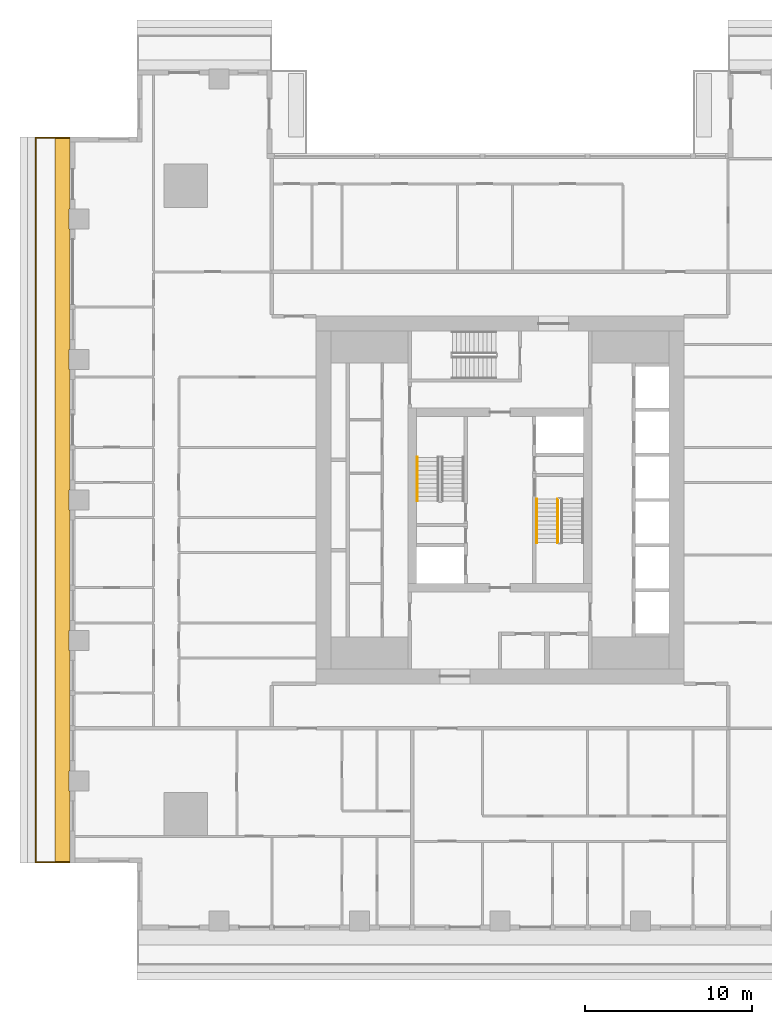
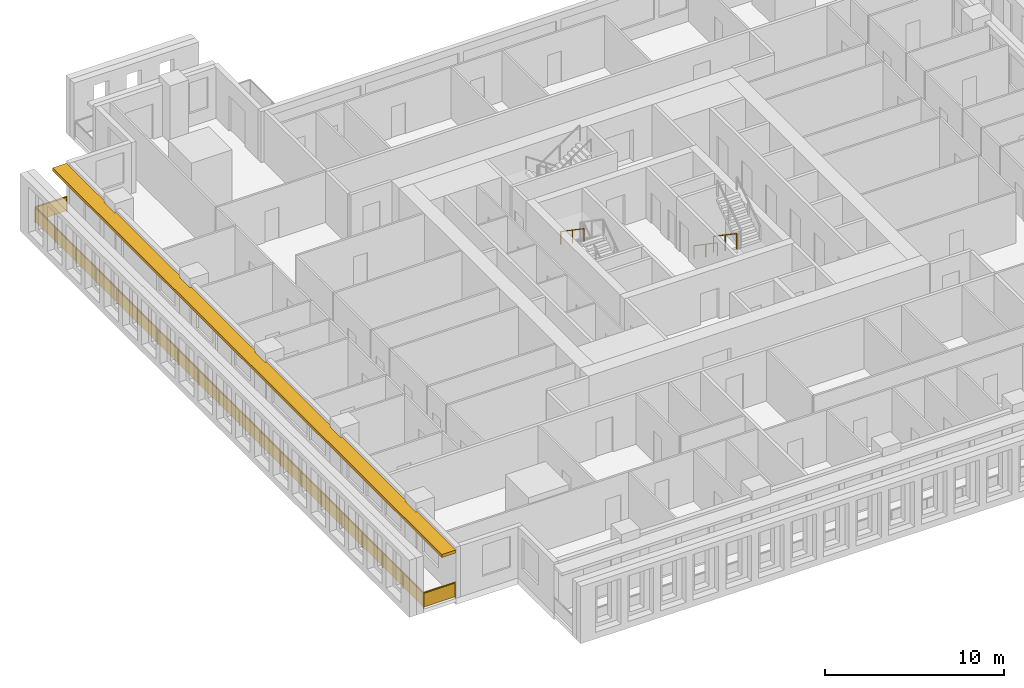
# One storey, part 12 of 16: 4 railings, 1 shading device.
"""IFC4 building model written with IfcOpenShell, lengths in metres."""

import ifcopenshell
import ifcopenshell.guid

model = None  # the IFC model being written
_history = None  # IfcOwnerHistory: only IFC2X3 demands one
_inside = {}  # id of a spatial element -> (the spatial element, [elements in it])
_under = {}  # id of a project, library or spatial element -> (it, [spatial elements below it])
_declared = {}  # id of a project -> (the project, [libraries it declares])
_typed = {}  # id of a type object -> (the type object, [elements of that type])
_made_of = {}  # id of a material, layer set ... -> (it, [elements and type objects made of it])


def new_model(schema):
    """Start an empty IFC model of exactly this schema.

    Asked for "IFC4X3", IfcOpenShell would pick the latest addendum, in which some entities
    have other attributes; the version numbers below select the first issue.
    IFC2X3 requires an IfcOwnerHistory on every rooted entity: one is made here for all.
    """
    global model, _history
    if schema == "IFC4X3":
        model = ifcopenshell.file(schema_version=(4, 3, 0, 0))
    else:
        model = ifcopenshell.file(schema=schema)
    _inside.clear()
    _under.clear()
    _declared.clear()
    _typed.clear()
    _made_of.clear()
    _history = None
    if model.schema == "IFC2X3":
        org = make("IfcOrganization", Name="unknown")
        user = make(
            "IfcPersonAndOrganization",
            ThePerson=make("IfcPerson", FamilyName="unknown"),
            TheOrganization=org,
        )
        app = make(
            "IfcApplication",
            ApplicationDeveloper=org,
            Version="unknown",
            ApplicationFullName="unknown",
            ApplicationIdentifier="unknown",
        )
        _history = make(
            "IfcOwnerHistory",
            OwningUser=user,
            OwningApplication=app,
            ChangeAction="ADDED",
            CreationDate=0,
        )
    return model


def make(cls, **values):
    """One entity of the class cls with the attributes given. An attribute that is None is left unset."""
    return model.create_entity(
        cls, **{name: value for name, value in values.items() if value is not None}
    )


def rooted(cls, **values):
    """An entity with a GlobalId (a new one), such as an element, a storey or a relation."""
    return make(cls, GlobalId=ifcopenshell.guid.new(), OwnerHistory=_history, **values)


def si_unit(unit_type, name, prefix=None):
    """IfcSIUnit, for example si_unit("LENGTHUNIT", "METRE", prefix="MILLI")."""
    return make("IfcSIUnit", UnitType=unit_type, Prefix=prefix, Name=name)


def assignment(units):
    """IfcUnitAssignment: the units of a project."""
    return None if units is None else make("IfcUnitAssignment", Units=units)


def point(xyz):
    """IfcCartesianPoint."""
    return None if xyz is None else make("IfcCartesianPoint", Coordinates=xyz)


def direction(xyz):
    """IfcDirection."""
    return None if xyz is None else make("IfcDirection", DirectionRatios=xyz)


def frame(location, z_axis=None, x_axis=None):
    """IfcAxis2Placement3D, a coordinate frame: its origin and axes. An axis left out is left unset."""
    return make(
        "IfcAxis2Placement3D",
        Location=point(location),
        Axis=direction(z_axis),
        RefDirection=direction(x_axis),
    )


def frame_2d(location, x_axis=None):
    """IfcAxis2Placement2D, a coordinate frame in the plane: its origin and x axis."""
    return make(
        "IfcAxis2Placement2D", Location=point(location), RefDirection=direction(x_axis)
    )


def origin():
    """The frame at (0, 0, 0) with its axes left unset."""
    return frame((0.0, 0.0, 0.0))


def origin_2d():
    """The frame at (0, 0) in the plane with its x axis left unset."""
    return frame_2d((0.0, 0.0))


def place(relative_to, where):
    """IfcLocalPlacement: puts the frame where relative to a parent placement (None: the world)."""
    return make(
        "IfcLocalPlacement", PlacementRelTo=relative_to, RelativePlacement=where
    )


def context(
    kind, dimensions, precision=None, world=None, true_north=None, identifier=None
):
    """IfcGeometricRepresentationContext, for example the 3D "Model" context."""
    return make(
        "IfcGeometricRepresentationContext",
        ContextIdentifier=identifier,
        ContextType=kind,
        CoordinateSpaceDimension=dimensions,
        Precision=precision,
        WorldCoordinateSystem=world,
        TrueNorth=true_north,
    )


def subcontext(parent, identifier, kind, view, scale=None):
    """IfcGeometricRepresentationSubContext, for example "Body" below "Model"."""
    return make(
        "IfcGeometricRepresentationSubContext",
        ContextIdentifier=identifier,
        ContextType=kind,
        ParentContext=parent,
        TargetScale=scale,
        TargetView=view,
    )


def project(units=None, contexts=None):
    """IfcProject with its units and contexts."""
    return rooted(
        "IfcProject",
        Name="project",
        RepresentationContexts=contexts,
        UnitsInContext=assignment(units),
    )


def spatial(cls, under=None, at=None, **own):
    """A site, building, storey or space (cls), placed at a placement, below another one or the project."""
    s = rooted(cls, ObjectPlacement=at, **own)
    if under is not None:
        _under.setdefault(under.id(), (under, []))[1].append(s)
    return s


def polyline(points):
    """IfcPolyline through the points."""
    return make("IfcPolyline", Points=[point(p) for p in points])


def profile(cls, at=None, kind="AREA", **sizes):
    """A parametric profile (cls). Its sizes go by their IFC names, for example OverallWidth=200.0."""
    return make(cls, ProfileType=kind, Position=at, **sizes)


def rectangle(**sizes):
    """IfcRectangleProfileDef."""
    return profile("IfcRectangleProfileDef", **sizes)


def outline(outer, holes=None, kind="AREA"):
    """IfcArbitraryClosedProfileDef: a profile drawn as a closed curve; with holes, ...WithVoids."""
    if holes is None:
        return make("IfcArbitraryClosedProfileDef", ProfileType=kind, OuterCurve=outer)
    return make(
        "IfcArbitraryProfileDefWithVoids",
        ProfileType=kind,
        OuterCurve=outer,
        InnerCurves=holes,
    )


def extrude(swept, where, along, depth):
    """IfcExtrudedAreaSolid: the profile swept, set in the frame where, extruded along a direction by depth."""
    return make(
        "IfcExtrudedAreaSolid",
        SweptArea=swept,
        Position=where,
        ExtrudedDirection=direction(along),
        Depth=depth,
    )


def shape(context_of_items, identifier, shape_type, items):
    """IfcShapeRepresentation: the items that make up one representation, for example the "Body"."""
    return make(
        "IfcShapeRepresentation",
        ContextOfItems=context_of_items,
        RepresentationIdentifier=identifier,
        RepresentationType=shape_type,
        Items=items,
    )


def material(Name=None, Category=None):
    """IfcMaterial."""
    return make("IfcMaterial", Name=Name, Category=Category)


def layer(
    of_material, thickness, ventilated=None, Name=None, Category=None, Priority=None
):
    """IfcMaterialLayer: one layer of a wall or slab, of a material (None: an air gap)."""
    return make(
        "IfcMaterialLayer",
        Material=of_material,
        LayerThickness=thickness,
        IsVentilated=ventilated,
        Name=Name,
        Category=Category,
        Priority=Priority,
    )


def layer_set(layers, Name=None):
    """IfcMaterialLayerSet."""
    return make("IfcMaterialLayerSet", MaterialLayers=layers, LayerSetName=Name)


def made_of(thing, what):
    """Note that an element or type object is made of a material, layer set ...; save() writes the relation."""
    if what is not None:
        _made_of.setdefault(what.id(), (what, []))[1].append(thing)
    return thing


def type_object(cls, material=None, **own):
    """A type object (cls), such as IfcWallType, which elements share."""
    return made_of(rooted(cls, **own), material)


def element(
    cls,
    number,
    at=None,
    inside=None,
    cuts=None,
    type_object=None,
    material=None,
    context=None,
    identifier="Body",
    shape_type=None,
    held_by="IfcProductDefinitionShape",
    body=None,
    shapes=None,
    **own,
):
    """One element of the class cls, such as IfcWall. Its Tag is "e" and its number.

    at: its placement. inside: the storey or other place that contains it. cuts: it is an
    opening in that element (IfcRelVoidsElement). A single representation is given by context,
    identifier, shape_type and body (its items); several are given by shapes. held_by: the class
    of the entity that holds the representations. save() writes the other relations.
    """
    e = rooted(cls, Tag="e%d" % number, ObjectPlacement=at, **own)
    if body is not None:
        shapes = [shape(context, identifier, shape_type, body)]
    if shapes is not None:
        e.Representation = make(held_by, Representations=shapes)
    if inside is not None:
        _inside.setdefault(inside.id(), (inside, []))[1].append(e)
    if cuts is not None:
        rooted(
            "IfcRelVoidsElement", RelatingBuildingElement=cuts, RelatedOpeningElement=e
        )
    if type_object is not None:
        _typed.setdefault(type_object.id(), (type_object, []))[1].append(e)
    return made_of(e, material)


def aggregate(whole, parts):
    """IfcRelAggregates: a whole, such as a stair, and the parts it consists of."""
    return rooted("IfcRelAggregates", RelatingObject=whole, RelatedObjects=parts)


def save(model, path):
    """Write the relations noted so far, then the file.

    IfcRelAggregates (storeys below a building ...), IfcRelContainedInSpatialStructure (elements
    in a storey), IfcRelDefinesByType, IfcRelAssociatesMaterial and IfcRelDeclares: one each for
    every whole, place, type object, material and project.
    """
    for whole, parts in _under.values():
        aggregate(whole, parts)
    for where, things in _inside.values():
        rooted(
            "IfcRelContainedInSpatialStructure",
            RelatedElements=things,
            RelatingStructure=where,
        )
    for kind, things in _typed.values():
        rooted("IfcRelDefinesByType", RelatedObjects=things, RelatingType=kind)
    for what, things in _made_of.values():
        rooted("IfcRelAssociatesMaterial", RelatedObjects=things, RelatingMaterial=what)
    for by, libraries in _declared.values():
        rooted("IfcRelDeclares", RelatingContext=by, RelatedDefinitions=libraries)
    model.write(path)


model = new_model("IFC4")

# Units and contexts
model_context = context("Model", 3, precision=1e-05, world=origin(), true_north=direction((0.0, 1.0)))
body_context = subcontext(model_context, "Body", "Model", "MODEL_VIEW")
ifc_project = project(units=[si_unit("LENGTHUNIT", "METRE"), si_unit("AREAUNIT", "SQUARE_METRE"), si_unit("VOLUMEUNIT", "CUBIC_METRE"), si_unit("PLANEANGLEUNIT", "RADIAN"), si_unit("MASSUNIT", "GRAM", prefix="KILO")], contexts=[model_context])

# Site, building, storey
site_placement = place(None, origin())
site = spatial("IfcSite", under=ifc_project, at=site_placement, CompositionType="ELEMENT")
building_placement = place(site_placement, origin())
building = spatial("IfcBuilding", under=site, at=building_placement, Name="Khepri Terraces", CompositionType="ELEMENT")
storey_placement = place(building_placement, frame((0.0, 0.0, 172.800048828125)))
storey = spatial("IfcBuildingStorey", under=building, at=storey_placement, Name="L41", CompositionType="ELEMENT", Elevation=172.800048828125)

# Railings
ifc_material_1 = material(Name="Stainless steel grade 316", Category="steel")
railing_type_1 = type_object("IfcRailingType", Name="GRD-BAL-1100", PredefinedType="GUARDRAIL", material=ifc_material_1)
railing_1_placement = place(storey_placement, frame((-25.719970703125, 21.669921875, 0.0)))
element("IfcRailing", 1, at=railing_1_placement, inside=storey, type_object=railing_type_1, Name="Balcony guard L41 W", PredefinedType="GUARDRAIL", context=body_context, shape_type="SweptSolid", body=[
    extrude(rectangle(XDim=0.050048828125, YDim=0.06005859375, at=origin_2d()), frame((0.0, 0.0, 1.070068359375), z_axis=(-1.0, 0.0, 0.0), x_axis=(0.0, -1.0, 0.0)), (0.0, 0.0, 1.0), 2.050048828125),
    extrude(rectangle(XDim=2.0, YDim=0.011962890625, at=origin_2d()), frame((-1.02490234375, 0.0, 0.10009765625), z_axis=(0.0, 0.0, 1.0), x_axis=(-1.0, 0.0, 0.0)), (0.0, 0.0, 1.0), 0.93994140625),
    extrude(rectangle(XDim=0.050048828125, YDim=0.06005859375, at=origin_2d()), frame((-2.050048828125, 0.0, 1.070068359375), z_axis=(0.0, -1.0, 0.0), x_axis=(1.0, 0.0, 0.0)), (0.0, 0.0, 1.0), 43.33984375),
    extrude(rectangle(XDim=2.23095703125, YDim=0.011962890625, at=origin_2d()), frame((-2.050048828125, -1.140625, 0.10009765625), z_axis=(0.0, 0.0, 1.0), x_axis=(0.0, -1.0, 0.0)), (0.0, 0.0, 1.0), 0.93994140625),
    extrude(rectangle(XDim=2.23095703125, YDim=0.011962890625, at=origin_2d()), frame((-2.050048828125, -3.421630859375, 0.10009765625), z_axis=(0.0, 0.0, 1.0), x_axis=(0.0, -1.0, 0.0)), (0.0, 0.0, 1.0), 0.93994140625),
    extrude(rectangle(XDim=2.23095703125, YDim=0.011962890625, at=origin_2d()), frame((-2.050048828125, -5.70263671875, 0.10009765625), z_axis=(0.0, 0.0, 1.0), x_axis=(0.0, -1.0, 0.0)), (0.0, 0.0, 1.0), 0.93994140625),
    extrude(rectangle(XDim=2.23095703125, YDim=0.011962890625, at=origin_2d()), frame((-2.050048828125, -7.983642578125, 0.10009765625), z_axis=(0.0, 0.0, 1.0), x_axis=(0.0, -1.0, 0.0)), (0.0, 0.0, 1.0), 0.93994140625),
    extrude(rectangle(XDim=2.23095703125, YDim=0.011962890625, at=origin_2d()), frame((-2.050048828125, -10.2646484375, 0.10009765625), z_axis=(0.0, 0.0, 1.0), x_axis=(0.0, -1.0, 0.0)), (0.0, 0.0, 1.0), 0.93994140625),
    extrude(rectangle(XDim=2.23095703125, YDim=0.011962890625, at=origin_2d()), frame((-2.050048828125, -12.545654296875, 0.10009765625), z_axis=(0.0, 0.0, 1.0), x_axis=(0.0, -1.0, 0.0)), (0.0, 0.0, 1.0), 0.93994140625),
    extrude(rectangle(XDim=2.23095703125, YDim=0.011962890625, at=origin_2d()), frame((-2.050048828125, -14.826904296875, 0.10009765625), z_axis=(0.0, 0.0, 1.0), x_axis=(0.0, -1.0, 0.0)), (0.0, 0.0, 1.0), 0.93994140625),
    extrude(rectangle(XDim=2.23095703125, YDim=0.011962890625, at=origin_2d()), frame((-2.050048828125, -17.10791015625, 0.10009765625), z_axis=(0.0, 0.0, 1.0), x_axis=(0.0, -1.0, 0.0)), (0.0, 0.0, 1.0), 0.93994140625),
    extrude(rectangle(XDim=2.23095703125, YDim=0.011962890625, at=origin_2d()), frame((-2.050048828125, -19.388916015625, 0.10009765625), z_axis=(0.0, 0.0, 1.0), x_axis=(0.0, -1.0, 0.0)), (0.0, 0.0, 1.0), 0.93994140625),
    extrude(rectangle(XDim=2.23095703125, YDim=0.011962890625, at=origin_2d()), frame((-2.050048828125, -21.669921875, 0.10009765625), z_axis=(0.0, 0.0, 1.0), x_axis=(0.0, -1.0, 0.0)), (0.0, 0.0, 1.0), 0.93994140625),
    extrude(rectangle(XDim=2.23095703125, YDim=0.011962890625, at=origin_2d()), frame((-2.050048828125, -23.950927734375, 0.10009765625), z_axis=(0.0, 0.0, 1.0), x_axis=(0.0, -1.0, 0.0)), (0.0, 0.0, 1.0), 0.93994140625),
    extrude(rectangle(XDim=2.23095703125, YDim=0.011962890625, at=origin_2d()), frame((-2.050048828125, -26.23193359375, 0.10009765625), z_axis=(0.0, 0.0, 1.0), x_axis=(0.0, -1.0, 0.0)), (0.0, 0.0, 1.0), 0.93994140625),
    extrude(rectangle(XDim=2.23095703125, YDim=0.011962890625, at=origin_2d()), frame((-2.050048828125, -28.512939453125, 0.10009765625), z_axis=(0.0, 0.0, 1.0), x_axis=(0.0, -1.0, 0.0)), (0.0, 0.0, 1.0), 0.93994140625),
    extrude(rectangle(XDim=2.23095703125, YDim=0.011962890625, at=origin_2d()), frame((-2.050048828125, -30.794189453125, 0.10009765625), z_axis=(0.0, 0.0, 1.0), x_axis=(0.0, -1.0, 0.0)), (0.0, 0.0, 1.0), 0.93994140625),
    extrude(rectangle(XDim=2.23095703125, YDim=0.011962890625, at=origin_2d()), frame((-2.050048828125, -33.0751953125, 0.10009765625), z_axis=(0.0, 0.0, 1.0), x_axis=(0.0, -1.0, 0.0)), (0.0, 0.0, 1.0), 0.93994140625),
    extrude(rectangle(XDim=2.23095703125, YDim=0.011962890625, at=origin_2d()), frame((-2.050048828125, -35.356201171875, 0.10009765625), z_axis=(0.0, 0.0, 1.0), x_axis=(0.0, -1.0, 0.0)), (0.0, 0.0, 1.0), 0.93994140625),
    extrude(rectangle(XDim=2.23095703125, YDim=0.011962890625, at=origin_2d()), frame((-2.050048828125, -37.63720703125, 0.10009765625), z_axis=(0.0, 0.0, 1.0), x_axis=(0.0, -1.0, 0.0)), (0.0, 0.0, 1.0), 0.93994140625),
    extrude(rectangle(XDim=2.23095703125, YDim=0.011962890625, at=origin_2d()), frame((-2.050048828125, -39.918212890625, 0.10009765625), z_axis=(0.0, 0.0, 1.0), x_axis=(0.0, -1.0, 0.0)), (0.0, 0.0, 1.0), 0.93994140625),
    extrude(rectangle(XDim=2.23095703125, YDim=0.011962890625, at=origin_2d()), frame((-2.050048828125, -42.19921875, 0.10009765625), z_axis=(0.0, 0.0, 1.0), x_axis=(0.0, -1.0, 0.0)), (0.0, 0.0, 1.0), 0.93994140625),
    extrude(rectangle(XDim=0.050048828125, YDim=0.06005859375, at=origin_2d()), frame((-2.050048828125, -43.33984375, 1.070068359375), z_axis=(1.0, 0.0, 0.0), x_axis=(0.0, 1.0, 0.0)), (0.0, 0.0, 1.0), 2.050048828125),
    extrude(rectangle(XDim=2.0, YDim=0.011962890625, at=origin_2d()), frame((-1.02490234375, -43.33984375, 0.10009765625), z_axis=(0.0, 0.0, 1.0), x_axis=(1.0, 0.0, 0.0)), (0.0, 0.0, 1.0), 0.93994140625),
    extrude(rectangle(XDim=0.050048828125, YDim=0.050048828125, at=origin_2d()), origin(), (0.0, 0.0, 1.0), 1.0400390625),
    extrude(rectangle(XDim=0.050048828125, YDim=0.050048828125, at=origin_2d()), frame((-2.050048828125, 0.0, 0.0)), (0.0, 0.0, 1.0), 1.0400390625),
    extrude(rectangle(XDim=0.050048828125, YDim=0.050048828125, at=origin_2d()), frame((-2.050048828125, -2.281005859375, 0.0)), (0.0, 0.0, 1.0), 1.0400390625),
    extrude(rectangle(XDim=0.050048828125, YDim=0.050048828125, at=origin_2d()), frame((-2.050048828125, -4.56201171875, 0.0)), (0.0, 0.0, 1.0), 1.0400390625),
    extrude(rectangle(XDim=0.050048828125, YDim=0.050048828125, at=origin_2d()), frame((-2.050048828125, -6.843017578125, 0.0)), (0.0, 0.0, 1.0), 1.0400390625),
    extrude(rectangle(XDim=0.050048828125, YDim=0.050048828125, at=origin_2d()), frame((-2.050048828125, -9.124267578125, 0.0)), (0.0, 0.0, 1.0), 1.0400390625),
    extrude(rectangle(XDim=0.050048828125, YDim=0.050048828125, at=origin_2d()), frame((-2.050048828125, -11.4052734375, 0.0)), (0.0, 0.0, 1.0), 1.0400390625),
    extrude(rectangle(XDim=0.050048828125, YDim=0.050048828125, at=origin_2d()), frame((-2.050048828125, -13.686279296875, 0.0)), (0.0, 0.0, 1.0), 1.0400390625),
    extrude(rectangle(XDim=0.050048828125, YDim=0.050048828125, at=origin_2d()), frame((-2.050048828125, -15.96728515625, 0.0)), (0.0, 0.0, 1.0), 1.0400390625),
    extrude(rectangle(XDim=0.050048828125, YDim=0.050048828125, at=origin_2d()), frame((-2.050048828125, -18.248291015625, 0.0)), (0.0, 0.0, 1.0), 1.0400390625),
    extrude(rectangle(XDim=0.050048828125, YDim=0.050048828125, at=origin_2d()), frame((-2.050048828125, -20.529296875, 0.0)), (0.0, 0.0, 1.0), 1.0400390625),
    extrude(rectangle(XDim=0.050048828125, YDim=0.050048828125, at=origin_2d()), frame((-2.050048828125, -22.810546875, 0.0)), (0.0, 0.0, 1.0), 1.0400390625),
    extrude(rectangle(XDim=0.050048828125, YDim=0.050048828125, at=origin_2d()), frame((-2.050048828125, -25.091552734375, 0.0)), (0.0, 0.0, 1.0), 1.0400390625),
    extrude(rectangle(XDim=0.050048828125, YDim=0.050048828125, at=origin_2d()), frame((-2.050048828125, -27.37255859375, 0.0)), (0.0, 0.0, 1.0), 1.0400390625),
    extrude(rectangle(XDim=0.050048828125, YDim=0.050048828125, at=origin_2d()), frame((-2.050048828125, -29.653564453125, 0.0)), (0.0, 0.0, 1.0), 1.0400390625),
    extrude(rectangle(XDim=0.050048828125, YDim=0.050048828125, at=origin_2d()), frame((-2.050048828125, -31.9345703125, 0.0)), (0.0, 0.0, 1.0), 1.0400390625),
    extrude(rectangle(XDim=0.050048828125, YDim=0.050048828125, at=origin_2d()), frame((-2.050048828125, -34.215576171875, 0.0)), (0.0, 0.0, 1.0), 1.0400390625),
    extrude(rectangle(XDim=0.050048828125, YDim=0.050048828125, at=origin_2d()), frame((-2.050048828125, -36.496826171875, 0.0)), (0.0, 0.0, 1.0), 1.0400390625),
    extrude(rectangle(XDim=0.050048828125, YDim=0.050048828125, at=origin_2d()), frame((-2.050048828125, -38.77783203125, 0.0)), (0.0, 0.0, 1.0), 1.0400390625),
    extrude(rectangle(XDim=0.050048828125, YDim=0.050048828125, at=origin_2d()), frame((-2.050048828125, -41.058837890625, 0.0)), (0.0, 0.0, 1.0), 1.0400390625),
    extrude(rectangle(XDim=0.050048828125, YDim=0.050048828125, at=origin_2d()), frame((-2.050048828125, -43.33984375, 0.0)), (0.0, 0.0, 1.0), 1.0400390625),
    extrude(rectangle(XDim=0.050048828125, YDim=0.050048828125, at=origin_2d()), frame((0.0, -43.33984375, 0.0)), (0.0, 0.0, 1.0), 1.0400390625),
])
ifc_material_2 = material(Name="Stainless steel 316", Category="steel")
railing_type_2 = type_object("IfcRailingType", Name="RL-CORE-GUARD", PredefinedType="GUARDRAIL", material=ifc_material_2)
railing_2_placement = place(storey_placement, frame((3.449951171875, 0.050048828125, 0.17724609375)))
element("IfcRailing", 2, at=railing_2_placement, inside=storey, type_object=railing_type_2, Name="L41 ST-2 stair guard 1", PredefinedType="GUARDRAIL", context=body_context, shape_type="SweptSolid", body=[
    extrude(rectangle(XDim=0.050048828125, YDim=0.06005859375, at=origin_2d()), frame((0.0, 0.0, 1.070068359375), z_axis=(0.0, -0.826240473404, 0.563317565952), x_axis=(1.0, 0.0, 0.0)), (0.0, 0.0, 1.0), 3.14697265625),
    extrude(rectangle(XDim=0.050048828125, YDim=0.050048828125, at=origin_2d()), origin(), (0.0, 0.0, 1.0), 1.0400390625),
    extrude(rectangle(XDim=0.050048828125, YDim=0.050048828125, at=origin_2d()), frame((0.0, -1.300048828125, 0.88623046875)), (0.0, 0.0, 1.0), 1.0400390625),
    extrude(rectangle(XDim=0.050048828125, YDim=0.050048828125, at=origin_2d()), frame((0.0, -2.60009765625, 1.772705078125)), (0.0, 0.0, 1.0), 1.0400390625),
])
railing_type_3 = type_object("IfcRailingType", Name="RL-CORE-HANDRAIL", PredefinedType="HANDRAIL", material=ifc_material_2)
for number, where, name in (
    (3, (-4.949951171875, 2.550048828125, 2.127197265625), "L41 ST-1 stair handrail 2"),
    (4, (2.199951171875, 0.050048828125, 0.17724609375), "L41 ST-2 stair handrail 1"),
):
    element("IfcRailing", number, at=place(storey_placement, frame(where)), inside=storey, type_object=railing_type_3, Name=name, PredefinedType="HANDRAIL", context=body_context, shape_type="SweptSolid", body=[
        extrude(rectangle(XDim=0.050048828125, YDim=0.050048828125, at=origin_2d()), frame((0.0, 0.0, 0.875), z_axis=(0.0, -0.826240473404, 0.563317565952), x_axis=(1.0, 0.0, 0.0)), (0.0, 0.0, 1.0), 3.14697265625),
        extrude(rectangle(XDim=0.050048828125, YDim=0.050048828125, at=origin_2d()), origin(), (0.0, 0.0, 1.0), 0.849853515625),
        extrude(rectangle(XDim=0.050048828125, YDim=0.050048828125, at=origin_2d()), frame((0.0, -1.300048828125, 0.88623046875)), (0.0, 0.0, 1.0), 0.849853515625),
        extrude(rectangle(XDim=0.050048828125, YDim=0.050048828125, at=origin_2d()), frame((0.0, -2.60009765625, 1.772705078125)), (0.0, 0.0, 1.0), 0.849853515625),
    ])

# Shading device
ifc_material_3 = material(Name="Precast concrete C50/60 warm stone", Category="masonry")
ifc_layer = layer(ifc_material_3, 0.199951171875, Name="Precast concrete C50/60 warm stone", Category="masonry")
ifc_layer_set = layer_set([ifc_layer], Name="Precast concrete C50/60 warm stone")
shading_device_type = type_object("IfcShadingDeviceType", Name="SSH-BAND-STONE-200", PredefinedType="USERDEFINED", material=ifc_layer_set)
shading_device_placement = place(storey_placement, frame((0.0, 0.0, 3.099853515625)))
element("IfcShadingDevice", 5, at=shading_device_placement, inside=storey, type_object=shading_device_type, Name="Sunshade band L41 W", ObjectType="SUNSHADE", PredefinedType="USERDEFINED", context=body_context, shape_type="SweptSolid", body=[
    extrude(outline(polyline([(-25.719970703125, 17.39990234375), (-25.719970703125, 21.719970703125), (-26.6201171875, 21.719970703125), (-26.6201171875, -21.719970703125), (-25.719970703125, -21.719970703125), (-25.719970703125, -17.39990234375), (-25.800048828125, -17.39990234375), (-25.800048828125, -16.199951171875), (-25.719970703125, -16.199951171875), (-25.719970703125, -9.0), (-25.800048828125, -9.0), (-25.800048828125, -7.800048828125), (-25.719970703125, -7.800048828125), (-25.719970703125, -0.60009765625), (-25.800048828125, -0.60009765625), (-25.800048828125, 0.60009765625), (-25.719970703125, 0.60009765625), (-25.719970703125, 7.800048828125), (-25.800048828125, 7.800048828125), (-25.800048828125, 9.0), (-25.719970703125, 9.0), (-25.719970703125, 16.199951171875), (-25.800048828125, 16.199951171875), (-25.800048828125, 17.39990234375), (-25.719970703125, 17.39990234375)])), origin(), (0.0, 0.0, 1.0), 0.2001953125),
])

save(model, "model.ifc")
